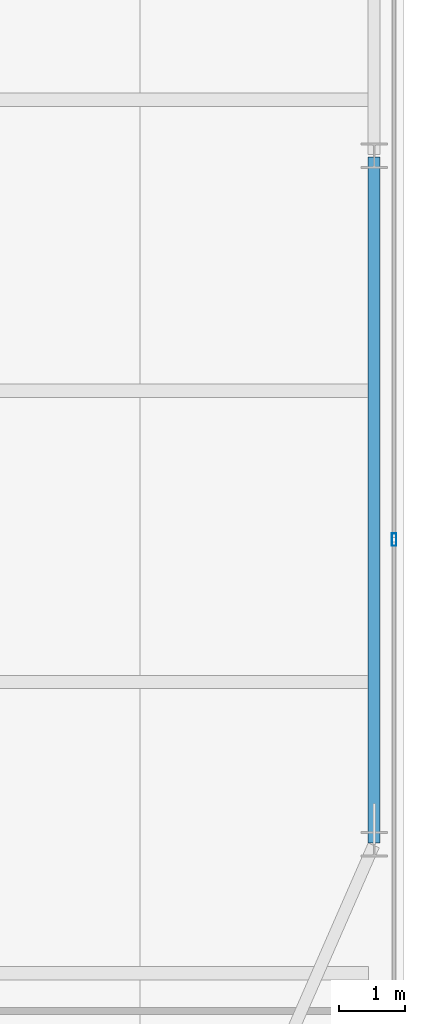
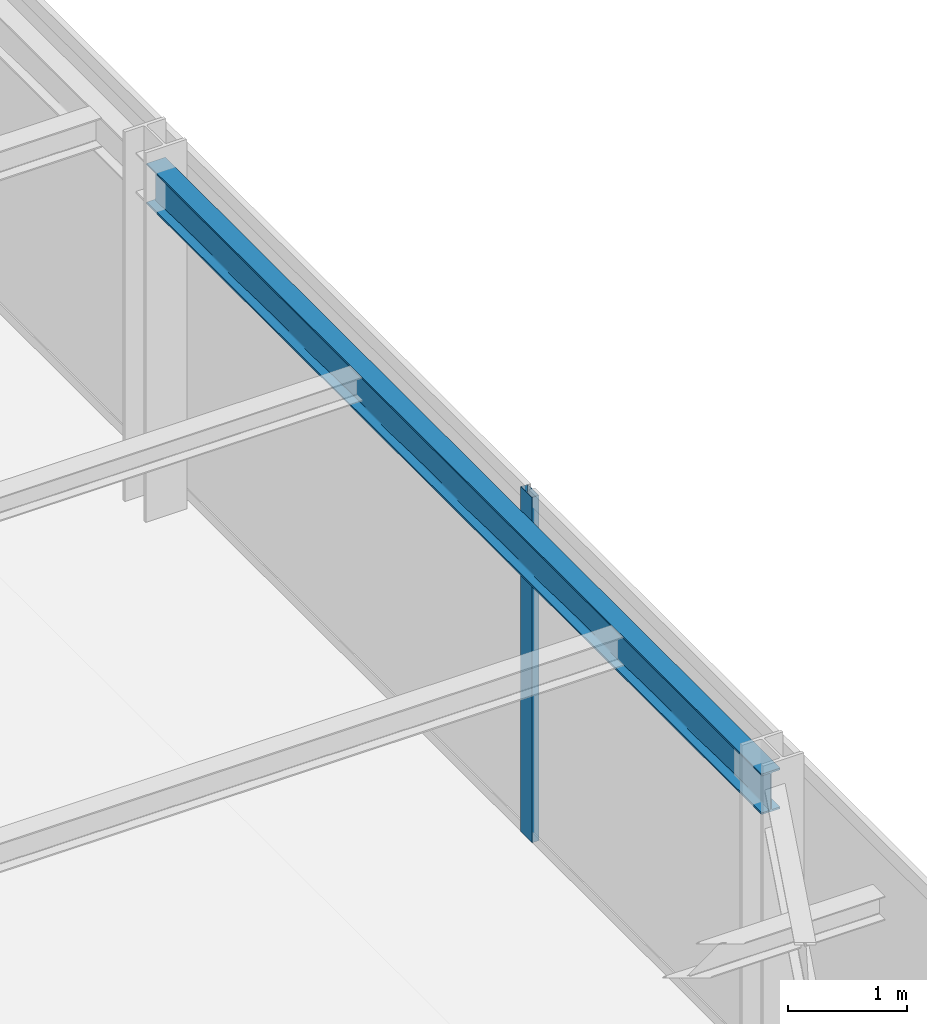
# One storey, part 18 of 36: 1 beam, 1 member, 1 element without a shape of its own.
"""IFC4 building model written with IfcOpenShell, lengths in metres."""

from ifc_helpers import new_model, si_unit, direction, frame, origin, origin_2d, place, context, subcontext, project, spatial, hollow_rectangle, i_section, extrude, source, transform, mapped, material, layer, layer_set, material_profile, profile_set, type_object, type_shapes, element, aggregate, save


model = new_model("IFC4")

# Units and contexts
model_context = context("Model", 3, precision=1e-05, world=origin(), true_north=direction((0.0, 1.0)))
body_context = subcontext(model_context, "Body", "Model", "MODEL_VIEW")
ifc_project = project(units=[si_unit("LENGTHUNIT", "METRE"), si_unit("AREAUNIT", "SQUARE_METRE"), si_unit("VOLUMEUNIT", "CUBIC_METRE"), si_unit("PLANEANGLEUNIT", "RADIAN"), si_unit("MASSUNIT", "GRAM", prefix="KILO")], contexts=[model_context])

# Site, building, storey
site_placement = place(None, origin())
site = spatial("IfcSite", under=ifc_project, at=site_placement, CompositionType="ELEMENT")
building_placement = place(site_placement, origin())
building = spatial("IfcBuilding", under=site, at=building_placement, Name="Varnel Quay Broadcast Tower", CompositionType="ELEMENT")
storey_placement = place(building_placement, frame((0.0, 0.0, 114.39990234375)))
storey = spatial("IfcBuildingStorey", under=building, at=storey_placement, Name="L27", CompositionType="ELEMENT", Elevation=114.39990234375)

# Beam
ifc_material_1 = material(Name="Structural Steel CSA G40.21 350W", Category="steel")
ifc_material_profile_1 = material_profile(ifc_material_1, i_section(OverallWidth=0.180908203125, OverallDepth=0.4169921875, WebThickness=0.010986328125, FlangeThickness=0.018310546875, FilletRadius=0.011962890625, at=origin_2d()), Name="W410X85")
ifc_profile_set_1 = profile_set([ifc_material_profile_1], Name="Structural Steel CSA G40.21 350W")
beam_type = type_object("IfcBeamType", Name="Beam_W410X85", PredefinedType="SPANDREL", material=ifc_profile_set_1)
shared_shape_1 = source(origin(), body_context, "Body", "SweptSolid", [
    extrude(i_section(OverallWidth=0.180908203125, OverallDepth=0.4169921875, WebThickness=0.010986328125, FlangeThickness=0.018310546875, FilletRadius=0.011962890625, at=origin_2d()), origin(), (0.0, 0.0, 1.0), 10.35986328125),
])
type_shapes(beam_type, [shared_shape_1])
beam_placement = place(storey_placement, frame((63.050048828125, 15.02001953125, 3.341552734375), z_axis=(0.0, 1.0, 0.0), x_axis=(-1.0, 0.0, 0.0)))
element("IfcBeam", 1, at=beam_placement, inside=storey, type_object=beam_type, Name="L27 East Spandrel TC-E1-TC-E2", PredefinedType="SPANDREL", context=body_context, shape_type="MappedRepresentation", body=[
    mapped(shared_shape_1, transform((0.0, 0.0, 0.0), x_axis=(1.0, 0.0, 0.0), y_axis=(0.0, 1.0, 0.0), z_axis=(0.0, 0.0, 1.0), scale=1.0)),
])

# Curtain wall, member
ifc_material_2 = material(Name="Anodised Bronze Aluminium 6063-T6", Category="aluminium")
ifc_layer = layer(ifc_material_2, 0.18994140625, Name="Anodised Bronze Aluminium 6063-T6")
ifc_layer_set = layer_set([ifc_layer], Name="Anodised Bronze Aluminium 6063-T6")
curtain_wall_type = type_object("IfcCurtainWallType", Name="CW_LowerTower", PredefinedType="NOTDEFINED", material=ifc_layer_set)
curtain_wall_placement = place(storey_placement, origin())
curtain_wall = element("IfcCurtainWall", 2, at=curtain_wall_placement, inside=storey, type_object=curtain_wall_type, Name="L27 East Unitised Curtain Wall", PredefinedType="NOTDEFINED")
ifc_material_profile_2 = material_profile(ifc_material_2, hollow_rectangle(XDim=0.070068359375, YDim=0.18994140625, WallThickness=0.00390625, at=origin_2d()), Name="ALU70X190X4")
ifc_profile_set_2 = profile_set([ifc_material_profile_2], Name="Anodised Bronze Aluminium 6063-T6")
member_type = type_object("IfcMemberType", Name="Mull_CWS-02", PredefinedType="MULLION", material=ifc_profile_set_2)
shared_shape_2 = source(origin(), body_context, "Body", "SweptSolid", [
    extrude(hollow_rectangle(XDim=0.070068359375, YDim=0.18994140625, WallThickness=0.00390625, at=origin_2d()), origin(), (0.0, 0.0, 1.0), 3.550048828125),
])
type_shapes(member_type, [shared_shape_2])
member_placement = place(storey_placement, frame((63.35009765625, 19.60009765625, 0.0), z_axis=(0.0, 0.0, 1.0), x_axis=(-1.0, 0.0, 0.0)))
member = element("IfcMember", 3, at=member_placement, type_object=member_type, Name="CWS-02 mullion 2", PredefinedType="MULLION", context=body_context, shape_type="MappedRepresentation", body=[
    mapped(shared_shape_2, transform((0.0, 0.0, 0.0), x_axis=(1.0, 0.0, 0.0), y_axis=(0.0, 1.0, 0.0), z_axis=(0.0, 0.0, 1.0), scale=1.0)),
])
aggregate(curtain_wall, [member])

save(model, "model.ifc")
